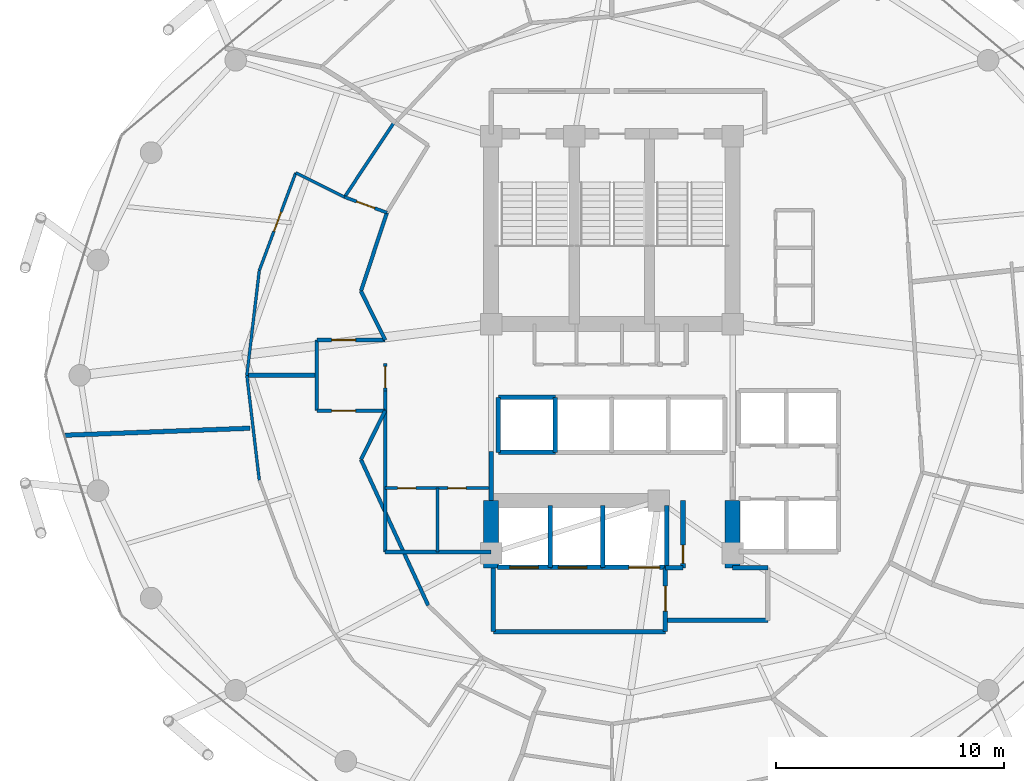
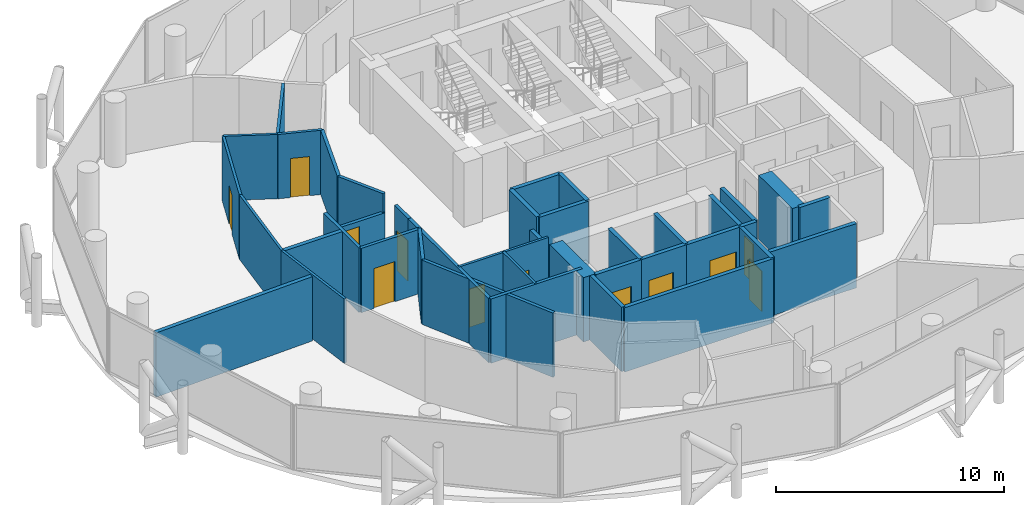
# One storey, part 22 of 26: 40 walls, 12 doors, 12 openings.
"""IFC4 building model written with IfcOpenShell, lengths in metres."""

from ifc_helpers import new_model, si_unit, direction, frame, frame_2d, origin, place, context, subcontext, project, spatial, rectangle, extrude, material, layer, layer_set, type_object, element, fill, save


model = new_model("IFC4")

# Units and contexts
model_context = context("Model", 3, precision=1e-05, world=origin(), true_north=direction((0.0, 1.0)))
body_context = subcontext(model_context, "Body", "Model", "MODEL_VIEW")
ifc_project = project(units=[si_unit("LENGTHUNIT", "METRE"), si_unit("AREAUNIT", "SQUARE_METRE"), si_unit("VOLUMEUNIT", "CUBIC_METRE"), si_unit("PLANEANGLEUNIT", "RADIAN"), si_unit("MASSUNIT", "GRAM", prefix="KILO")], contexts=[model_context])

# Site, building, storey
site_placement = place(None, origin())
site = spatial("IfcSite", under=ifc_project, at=site_placement, CompositionType="ELEMENT")
building_placement = place(site_placement, origin())
building = spatial("IfcBuilding", under=site, at=building_placement, Name="Nuhasar Tower", CompositionType="ELEMENT")
storey_placement = place(building_placement, frame((0.0, 0.0, 133.050048828125)))
storey = spatial("IfcBuildingStorey", under=building, at=storey_placement, Name="L31", CompositionType="ELEMENT", Elevation=133.050048828125)

# Walls
ifc_material_1 = material(Name="Concrete C65/80", Category="concrete")
ifc_layer_1 = layer(ifc_material_1, 0.64990234375)
ifc_layer_set_1 = layer_set([ifc_layer_1], Name="Concrete C65/80")
wall_type_1 = type_object("IfcWallType", Name="WL-CORE-650", PredefinedType="SHEAR", material=ifc_layer_set_1)
for number, where, z_axis, x_axis, name in (
    (1, (33.699951171875, 18.35009765625, 0.0), (0.0, 0.0, 1.0), (0.0, 1.0, 0.0), "L31 Core Shear Wall CW-SW CW-650"),
    (2, (44.300048828125, 18.35009765625, 0.0), (0.0, 0.0, 1.0), (0.0, 1.0, 0.0), "L31 Core Shear Wall CW-SE CW-650"),
):
    element("IfcWall", number, at=place(storey_placement, frame(where, z_axis=z_axis, x_axis=x_axis)), inside=storey, type_object=wall_type_1, Name=name, PredefinedType="SHEAR", context=body_context, shape_type="SweptSolid", body=[
        extrude(rectangle(XDim=2.949951171875, YDim=0.64990234375, at=frame_2d((1.47509765625, 0.0))), origin(), (0.0, 0.0, 1.0), 3.449951171875),
    ])
ifc_material_2 = material(Name="Gypsum Board", Category="gypsum")
ifc_layer_2 = layer(ifc_material_2, 0.159912109375)
ifc_layer_set_2 = layer_set([ifc_layer_2], Name="Gypsum Board")
wall_type_2 = type_object("IfcWallType", Name="WL-CORR-160", PredefinedType="PARTITIONING", material=ifc_layer_set_2)
wall_1_placement = place(storey_placement, frame((29.050048828125, 19.050048828125, 0.0), z_axis=(0.0, 0.0, 1.0), x_axis=(1.0, 0.0, 0.0)))
element("IfcWall", 3, at=wall_1_placement, inside=storey, type_object=wall_type_2, Name="L31 Interior Partition RECL-B1-S", PredefinedType="PARTITIONING", context=body_context, shape_type="SweptSolid", body=[
    extrude(rectangle(XDim=4.64990234375, YDim=0.159912109375, at=frame_2d((2.324951171875, 0.0))), origin(), (0.0, 0.0, 1.0), 3.449951171875),
])
wall_2_placement = place(storey_placement, frame((29.050048828125, 19.050048828125, 0.0), z_axis=(0.0, 0.0, 1.0), x_axis=(0.0, 1.0, 0.0)))
element("IfcWall", 4, at=wall_2_placement, inside=storey, type_object=wall_type_2, Name="L31 Interior Partition RECL-B1-W", PredefinedType="PARTITIONING", context=body_context, shape_type="SweptSolid", body=[
    extrude(rectangle(XDim=7.070068359375, YDim=0.159912109375, at=frame_2d((3.53515625, 0.0))), origin(), (0.0, 0.0, 1.0), 3.449951171875),
])

# Wall, opening, door
wall_3_placement = place(storey_placement, frame((29.050048828125, 26.1201171875, 0.0), z_axis=(0.0, 0.0, 1.0), x_axis=(0.0, 1.0, 0.0)))
wall_3 = element("IfcWall", 5, at=wall_3_placement, inside=storey, type_object=wall_type_2, Name="L31 Interior Partition WVEST-E", PredefinedType="PARTITIONING", context=body_context, shape_type="SweptSolid", body=[
    extrude(rectangle(XDim=1.199951171875, YDim=0.159912109375, at=frame_2d((0.60009765625, 0.0))), origin(), (0.0, 0.0, 1.0), 3.449951171875),
])
opening_1_placement = place(wall_3_placement, frame((0.125, 0.0, 0.0)))
opening_1 = element("IfcOpeningElement", 6, at=opening_1_placement, cuts=wall_3, Name="Opening DO-01", PredefinedType="OPENING", context=body_context, shape_type="SweptSolid", body=[
    extrude(rectangle(XDim=0.949951171875, YDim=2.14990234375, at=frame_2d((0.47509765625, 1.074951171875))), frame((0.0, 0.08984375, 0.0), z_axis=(0.0, -1.0, 0.0), x_axis=(1.0, 0.0, 0.0)), (0.0, 0.0, 1.0), 0.179931640625),
])
ifc_material_3 = material(Name="Timber Oak", Category="wood")
door_type_1 = type_object("IfcDoorType", Name="DR-OFFICE-FD30-950", OperationType="NOTDEFINED", PredefinedType="DOOR", material=ifc_material_3)
door_1_placement = place(opening_1_placement, origin())
door_1 = element("IfcDoor", 7, at=door_1_placement, inside=storey, type_object=door_type_1, Name="L31 West Arrival Foyer Core Door", OperationType="SINGLE_SWING_RIGHT", OverallHeight=2.14990234375, OverallWidth=0.949951171875, PredefinedType="DOOR", context=body_context, shape_type="SweptSolid", body=[
    extrude(rectangle(XDim=0.949951171875, YDim=2.14990234375, at=frame_2d((0.47509765625, 1.074951171875))), frame((0.0, 0.02490234375, 0.0), z_axis=(0.0, -1.0, 0.0), x_axis=(1.0, 0.0, 0.0)), (0.0, 0.0, 1.0), 0.050048828125),
])
fill(opening_1, door_1)

# Walls
wall_4_placement = place(storey_placement, frame((29.126953125, 33.93994140625, 0.0), z_axis=(0.0, 0.0, 1.0), x_axis=(-0.313985571683, -0.949427754374, 0.0)))
element("IfcWall", 8, at=wall_4_placement, inside=storey, type_object=wall_type_2, Name="L31 Interior Partition HWEST-CORE-N-20", PredefinedType="PARTITIONING", context=body_context, shape_type="SweptSolid", body=[
    extrude(rectangle(XDim=3.627197265625, YDim=0.159912109375, at=frame_2d((1.8134765625, 0.0))), origin(), (0.0, 0.0, 1.0), 3.449951171875),
])
wall_5_placement = place(storey_placement, frame((27.988037109375, 23.10400390625, 0.0), z_axis=(0.0, 0.0, 1.0), x_axis=(0.418656179426, -0.908144814128, 0.0)))
element("IfcWall", 9, at=wall_5_placement, inside=storey, type_object=wall_type_2, Name="L31 Interior Partition HWEST-CORE-S1-26", PredefinedType="PARTITIONING", context=body_context, shape_type="SweptSolid", body=[
    extrude(rectangle(XDim=7.048583984375, YDim=0.159912109375, at=frame_2d((3.5244140625, 0.0))), origin(), (0.0, 0.0, 1.0), 3.449951171875),
])

# Wall, opening, door
wall_6_placement = place(storey_placement, frame((26.050048828125, 28.35009765625, 0.0), z_axis=(0.0, 0.0, 1.0), x_axis=(1.0, 0.0, 0.0)))
wall_6 = element("IfcWall", 10, at=wall_6_placement, inside=storey, type_object=wall_type_2, Name="L31 Interior Partition WVEST-N", PredefinedType="PARTITIONING", context=body_context, shape_type="SweptSolid", body=[
    extrude(rectangle(XDim=3.0, YDim=0.159912109375, at=frame_2d((1.5, 0.0))), origin(), (0.0, 0.0, 1.0), 2.43994140625),
])
opening_2_placement = place(wall_6_placement, frame((0.64990234375, 0.0, 0.0)))
opening_2 = element("IfcOpeningElement", 11, at=opening_2_placement, cuts=wall_6, Name="Opening DU-01", PredefinedType="OPENING", context=body_context, shape_type="SweptSolid", body=[
    extrude(rectangle(XDim=1.050048828125, YDim=2.14990234375, at=frame_2d((0.52490234375, 1.074951171875))), frame((0.0, 0.08984375, 0.0), z_axis=(0.0, -1.0, 0.0), x_axis=(1.0, 0.0, 0.0)), (0.0, 0.0, 1.0), 0.179931640625),
])
door_type_2 = type_object("IfcDoorType", Name="DR-SUITE-FD60-1050", OperationType="NOTDEFINED", PredefinedType="DOOR", material=ifc_material_3)
door_2_placement = place(opening_2_placement, origin())
door_2 = element("IfcDoor", 12, at=door_2_placement, inside=storey, type_object=door_type_2, Name="L31 North-West Sunset Suite Entrance", OperationType="SINGLE_SWING_LEFT", OverallHeight=2.14990234375, OverallWidth=1.050048828125, PredefinedType="DOOR", context=body_context, shape_type="SweptSolid", body=[
    extrude(rectangle(XDim=1.050048828125, YDim=2.14990234375, at=frame_2d((0.52490234375, 1.074951171875))), frame((0.0, 0.02490234375, 0.0), z_axis=(0.0, -1.0, 0.0), x_axis=(1.0, 0.0, 0.0)), (0.0, 0.0, 1.0), 0.050048828125),
])
fill(opening_2, door_2)

wall_7_placement = place(storey_placement, frame((26.050048828125, 25.25, 0.0), z_axis=(0.0, 0.0, 1.0), x_axis=(1.0, 0.0, 0.0)))
wall_7 = element("IfcWall", 13, at=wall_7_placement, inside=storey, type_object=wall_type_2, Name="L31 Interior Partition WVEST-S", PredefinedType="PARTITIONING", context=body_context, shape_type="SweptSolid", body=[
    extrude(rectangle(XDim=3.0, YDim=0.159912109375, at=frame_2d((1.5, 0.0))), origin(), (0.0, 0.0, 1.0), 3.449951171875),
])
opening_3_placement = place(wall_7_placement, frame((0.64990234375, 0.0, 0.0)))
opening_3 = element("IfcOpeningElement", 14, at=opening_3_placement, cuts=wall_7, Name="Opening DU-01", PredefinedType="OPENING", context=body_context, shape_type="SweptSolid", body=[
    extrude(rectangle(XDim=1.050048828125, YDim=2.14990234375, at=frame_2d((0.52490234375, 1.074951171875))), frame((0.0, 0.08984375, 0.0), z_axis=(0.0, -1.0, 0.0), x_axis=(1.0, 0.0, 0.0)), (0.0, 0.0, 1.0), 0.179931640625),
])
door_3_placement = place(opening_3_placement, origin())
door_3 = element("IfcDoor", 15, at=door_3_placement, inside=storey, type_object=door_type_2, Name="L31 South-West Presidential Suite Entrance", OperationType="SINGLE_SWING_LEFT", OverallHeight=2.14990234375, OverallWidth=1.050048828125, PredefinedType="DOOR", context=body_context, shape_type="SweptSolid", body=[
    extrude(rectangle(XDim=1.050048828125, YDim=2.14990234375, at=frame_2d((0.52490234375, 1.074951171875))), frame((0.0, 0.02490234375, 0.0), z_axis=(0.0, -1.0, 0.0), x_axis=(1.0, 0.0, 0.0)), (0.0, 0.0, 1.0), 0.050048828125),
])
fill(opening_3, door_3)

# Walls
wall_8_placement = place(storey_placement, frame((26.050048828125, 25.25, 0.0), z_axis=(0.0, 0.0, 1.0), x_axis=(0.0, 1.0, 0.0)))
element("IfcWall", 16, at=wall_8_placement, inside=storey, type_object=wall_type_2, Name="L31 Interior Partition WVEST-W", PredefinedType="PARTITIONING", context=body_context, shape_type="SweptSolid", body=[
    extrude(rectangle(XDim=3.10009765625, YDim=0.159912109375, at=frame_2d((1.550048828125, 0.0))), origin(), (0.0, 0.0, 1.0), 3.449951171875),
])
for number, where, z_axis, x_axis, name in (
    (17, (27.988037109375, 30.49609375, 0.0), (0.0, 0.0, 1.0), (0.443539160525, -0.896254993337, 0.0), "L31 Interior Partition WVEST-CN"),
    (18, (27.988037109375, 23.10400390625, 0.0), (0.0, 0.0, 1.0), (0.443539160525, 0.896254993337, 0.0), "L31 Interior Partition WVEST-CS"),
):
    element("IfcWall", number, at=place(storey_placement, frame(where, z_axis=z_axis, x_axis=x_axis)), inside=storey, type_object=wall_type_2, Name=name, PredefinedType="PARTITIONING", context=body_context, shape_type="SweptSolid", body=[
        extrude(rectangle(XDim=2.394287109375, YDim=0.159912109375, at=frame_2d((1.197265625, 0.0))), origin(), (0.0, 0.0, 1.0), 3.449951171875),
    ])
ifc_material_4 = material(Name="Concrete C45/55", Category="concrete")
ifc_layer_3 = layer(ifc_material_4, 0.199951171875)
ifc_layer_set_3 = layer_set([ifc_layer_3], Name="Concrete C45/55")
wall_type_3 = type_object("IfcWallType", Name="WL-LOBBY-200", PredefinedType="SOLIDWALL", material=ifc_layer_set_3)
wall_9_placement = place(storey_placement, frame((33.699951171875, 21.300048828125, 0.0), z_axis=(0.0, 0.0, 1.0), x_axis=(0.0, 1.0, 0.0)))
element("IfcWall", 19, at=wall_9_placement, inside=storey, type_object=wall_type_3, Name="L31 Interior Partition LLBH-W", PredefinedType="SOLIDWALL", context=body_context, shape_type="SweptSolid", body=[
    extrude(rectangle(XDim=2.14990234375, YDim=0.199951171875, at=frame_2d((1.074951171875, 0.0))), origin(), (0.0, 0.0, 1.0), 2.8349609375),
])
wall_10_placement = place(storey_placement, frame((33.800048828125, 15.550048828125, 0.0), z_axis=(0.0, 0.0, 1.0), x_axis=(1.0, 0.0, 0.0)))
element("IfcWall", 20, at=wall_10_placement, inside=storey, type_object=wall_type_3, Name="L31 Interior Partition FFL-S", PredefinedType="SOLIDWALL", context=body_context, shape_type="SweptSolid", body=[
    extrude(rectangle(XDim=7.550048828125, YDim=0.199951171875, at=frame_2d((3.77490234375, 0.0))), origin(), (0.0, 0.0, 1.0), 3.449951171875),
])
wall_11_placement = place(storey_placement, frame((33.800048828125, 15.550048828125, 0.0), z_axis=(0.0, 0.0, 1.0), x_axis=(0.0, 1.0, 0.0)))
element("IfcWall", 21, at=wall_11_placement, inside=storey, type_object=wall_type_3, Name="L31 Interior Partition FFL-W", PredefinedType="SOLIDWALL", context=body_context, shape_type="SweptSolid", body=[
    extrude(rectangle(XDim=2.800048828125, YDim=0.199951171875, at=frame_2d((1.39990234375, 0.0))), origin(), (0.0, 0.0, 1.0), 3.449951171875),
])

# Wall, opening, door
wall_12_placement = place(storey_placement, frame((41.35009765625, 15.550048828125, 0.0), z_axis=(0.0, 0.0, 1.0), x_axis=(0.0, 1.0, 0.0)))
wall_12 = element("IfcWall", 22, at=wall_12_placement, inside=storey, type_object=wall_type_3, Name="L31 Interior Partition FFL-E", PredefinedType="SOLIDWALL", context=body_context, shape_type="SweptSolid", body=[
    extrude(rectangle(XDim=2.800048828125, YDim=0.199951171875, at=frame_2d((1.39990234375, 0.0))), origin(), (0.0, 0.0, 1.0), 3.449951171875),
])
opening_4_placement = place(wall_12_placement, frame((0.89990234375, 0.0, 0.0)))
opening_4 = element("IfcOpeningElement", 23, at=opening_4_placement, cuts=wall_12, Name="Opening DS-02", PredefinedType="OPENING", context=body_context, shape_type="SweptSolid", body=[
    extrude(rectangle(XDim=1.10009765625, YDim=2.14990234375, at=frame_2d((0.550048828125, 1.074951171875))), frame((0.0, 0.10986328125, 0.0), z_axis=(0.0, -1.0, 0.0), x_axis=(1.0, 0.0, 0.0)), (0.0, 0.0, 1.0), 0.219970703125),
])
ifc_material_5 = material(Name="Steel S355", Category="steel")
door_type_3 = type_object("IfcDoorType", Name="DR-FFL-FD120-1100", OperationType="NOTDEFINED", PredefinedType="DOOR", material=ifc_material_5)
door_4_placement = place(opening_4_placement, origin())
door_4 = element("IfcDoor", 24, at=door_4_placement, inside=storey, type_object=door_type_3, Name="L31 Firefighting Lobby Door", OperationType="SINGLE_SWING_RIGHT", OverallHeight=2.14990234375, OverallWidth=1.10009765625, PredefinedType="DOOR", context=body_context, shape_type="SweptSolid", body=[
    extrude(rectangle(XDim=1.10009765625, YDim=2.14990234375, at=frame_2d((0.550048828125, 1.074951171875))), frame((0.0, 0.02490234375, 0.0), z_axis=(0.0, -1.0, 0.0), x_axis=(1.0, 0.0, 0.0)), (0.0, 0.0, 1.0), 0.050048828125),
])
fill(opening_4, door_4)

# Walls
wall_13_placement = place(storey_placement, frame((41.35009765625, 16.050048828125, 0.0), z_axis=(0.0, 0.0, 1.0), x_axis=(1.0, 0.0, 0.0)))
element("IfcWall", 25, at=wall_13_placement, inside=storey, type_object=wall_type_3, Name="L31 Interior Partition SVLV-S", PredefinedType="SOLIDWALL", context=body_context, shape_type="SweptSolid", body=[
    extrude(rectangle(XDim=4.5, YDim=0.199951171875, at=frame_2d((2.25, 0.0))), origin(), (0.0, 0.0, 1.0), 3.449951171875),
])
wall_14_placement = place(storey_placement, frame((44.300048828125, 18.35009765625, 0.0), z_axis=(0.0, 0.0, 1.0), x_axis=(1.0, 0.0, 0.0)))
element("IfcWall", 26, at=wall_14_placement, inside=storey, type_object=wall_type_3, Name="L31 Interior Partition SVLV-N", PredefinedType="SOLIDWALL", context=body_context, shape_type="SweptSolid", body=[
    extrude(rectangle(XDim=1.550048828125, YDim=0.199951171875, at=frame_2d((0.77490234375, 0.0))), origin(), (0.0, 0.0, 1.0), 3.449951171875),
])

# Wall, openings, doors
ifc_layer_4 = layer(ifc_material_2, 0.125)
ifc_layer_set_4 = layer_set([ifc_layer_4], Name="Gypsum Board")
wall_type_4 = type_object("IfcWallType", Name="WL-PART-125", PredefinedType="PARTITIONING", material=ifc_layer_set_4)
wall_15_placement = place(storey_placement, frame((33.60009765625, 21.85009765625, 0.0), z_axis=(0.0, 0.0, 1.0), x_axis=(-1.0, 0.0, 0.0)))
wall_15 = element("IfcWall", 27, at=wall_15_placement, inside=storey, type_object=wall_type_4, Name="L31 Interior Partition HKPK1-N", PredefinedType="PARTITIONING", context=body_context, shape_type="SweptSolid", body=[
    extrude(rectangle(XDim=4.550048828125, YDim=0.125, at=frame_2d((2.27490234375, 0.0))), origin(), (0.0, 0.0, 1.0), 3.449951171875),
])
opening_5_placement = place(wall_15_placement, frame((3.199951171875, 0.0, 0.0)))
opening_5 = element("IfcOpeningElement", 28, at=opening_5_placement, cuts=wall_15, Name="Opening DM-01", PredefinedType="OPENING", context=body_context, shape_type="SweptSolid", body=[
    extrude(rectangle(XDim=0.800048828125, YDim=2.050048828125, at=frame_2d((0.39990234375, 1.02490234375))), frame((0.0, 0.072509765625, 0.0), z_axis=(0.0, -1.0, 0.0), x_axis=(1.0, 0.0, 0.0)), (0.0, 0.0, 1.0), 0.14501953125),
])
opening_6_placement = place(wall_15_placement, frame((1.0, 0.0, 0.0)))
opening_6 = element("IfcOpeningElement", 29, at=opening_6_placement, cuts=wall_15, Name="Opening DM-01", PredefinedType="OPENING", context=body_context, shape_type="SweptSolid", body=[
    extrude(rectangle(XDim=0.800048828125, YDim=2.050048828125, at=frame_2d((0.39990234375, 1.02490234375))), frame((0.0, 0.072509765625, 0.0), z_axis=(0.0, -1.0, 0.0), x_axis=(1.0, 0.0, 0.0)), (0.0, 0.0, 1.0), 0.14501953125),
])
door_type_4 = type_object("IfcDoorType", Name="DR-RISER-FD60-800", OperationType="NOTDEFINED", PredefinedType="DOOR", material=ifc_material_5)
door_5_placement = place(opening_5_placement, origin())
door_5 = element("IfcDoor", 30, at=door_5_placement, inside=storey, type_object=door_type_4, Name="L31 Housekeeping Closet Door", OperationType="SINGLE_SWING_RIGHT", OverallHeight=2.050048828125, OverallWidth=0.800048828125, PredefinedType="DOOR", context=body_context, shape_type="SweptSolid", body=[
    extrude(rectangle(XDim=0.800048828125, YDim=2.050048828125, at=frame_2d((0.39990234375, 1.02490234375))), frame((0.0, 0.02490234375, 0.0), z_axis=(0.0, -1.0, 0.0), x_axis=(1.0, 0.0, 0.0)), (0.0, 0.0, 1.0), 0.050048828125),
])
fill(opening_5, door_5)
door_6_placement = place(opening_6_placement, origin())
door_6 = element("IfcDoor", 31, at=door_6_placement, inside=storey, type_object=door_type_4, Name="L31 Linen Store Door", OperationType="SINGLE_SWING_LEFT", OverallHeight=2.050048828125, OverallWidth=0.800048828125, PredefinedType="DOOR", context=body_context, shape_type="SweptSolid", body=[
    extrude(rectangle(XDim=0.800048828125, YDim=2.050048828125, at=frame_2d((0.39990234375, 1.02490234375))), frame((0.0, 0.02490234375, 0.0), z_axis=(0.0, -1.0, 0.0), x_axis=(1.0, 0.0, 0.0)), (0.0, 0.0, 1.0), 0.050048828125),
])
fill(opening_6, door_6)

# Walls
wall_16_placement = place(storey_placement, frame((31.35009765625, 19.050048828125, 0.0), z_axis=(0.0, 0.0, 1.0), x_axis=(0.0, 1.0, 0.0)))
element("IfcWall", 32, at=wall_16_placement, inside=storey, type_object=wall_type_4, Name="L31 Interior Partition HKPK1-V", PredefinedType="PARTITIONING", context=body_context, shape_type="SweptSolid", body=[
    extrude(rectangle(XDim=2.800048828125, YDim=0.125, at=frame_2d((1.39990234375, 0.0))), origin(), (0.0, 0.0, 1.0), 3.449951171875),
])
wall_17_placement = place(storey_placement, frame((27.264892578125, 34.625, 0.0), z_axis=(0.0, 0.0, 1.0), x_axis=(-0.895182030291, 0.445700720937, 0.0)))
element("IfcWall", 33, at=wall_17_placement, inside=storey, type_object=wall_type_4, Name="L31 Interior Partition HWS1-S", PredefinedType="PARTITIONING", context=body_context, shape_type="SweptSolid", body=[
    extrude(rectangle(XDim=2.389404296875, YDim=0.125, at=frame_2d((1.19482421875, 0.0))), origin(), (0.0, 0.0, 1.0), 3.449951171875),
])

# Wall, opening, door
wall_18_placement = place(storey_placement, frame((25.1259765625, 35.68994140625, 0.0), z_axis=(0.0, 0.0, 1.0), x_axis=(-0.349620571525, -0.936891378958, 0.0)))
wall_18 = element("IfcWall", 34, at=wall_18_placement, inside=storey, type_object=wall_type_4, Name="L31 Interior Partition HWS1-ARC-20", PredefinedType="PARTITIONING", context=body_context, shape_type="SweptSolid", body=[
    extrude(rectangle(XDim=4.57666015625, YDim=0.125, at=frame_2d((2.288330078125, 0.0))), origin(), (0.0, 0.0, 1.0), 3.449951171875),
])
opening_7_placement = place(wall_18_placement, frame((1.837890625, 0.0, 0.0)))
opening_7 = element("IfcOpeningElement", 35, at=opening_7_placement, cuts=wall_18, Name="Opening DR-01", PredefinedType="OPENING", context=body_context, shape_type="SweptSolid", body=[
    extrude(rectangle(XDim=0.89990234375, YDim=2.10009765625, at=frame_2d((0.449951171875, 1.050048828125))), frame((0.0, 0.072509765625, 0.0), z_axis=(0.0, -1.0, 0.0), x_axis=(1.0, 0.0, 0.0)), (0.0, 0.0, 1.0), 0.14501953125),
])
door_type_5 = type_object("IfcDoorType", Name="DR-ROOM-900", OperationType="NOTDEFINED", PredefinedType="DOOR", material=ifc_material_3)
door_7_placement = place(opening_7_placement, origin())
door_7 = element("IfcDoor", 36, at=door_7_placement, inside=storey, type_object=door_type_5, Name="L31 North-West Sunset Suite Bedroom Door", OperationType="SINGLE_SWING_LEFT", OverallHeight=2.10009765625, OverallWidth=0.89990234375, PredefinedType="DOOR", context=body_context, shape_type="SweptSolid", body=[
    extrude(rectangle(XDim=0.89990234375, YDim=2.10009765625, at=frame_2d((0.449951171875, 1.050048828125))), frame((0.0, 0.02490234375, 0.0), z_axis=(0.0, -1.0, 0.0), x_axis=(1.0, 0.0, 0.0)), (0.0, 0.0, 1.0), 0.050048828125),
])
fill(opening_7, door_7)

# Walls
for number, where, z_axis, x_axis, name in (
    (37, (23.52587890625, 31.402099609375, 0.0), (0.0, 0.0, 1.0), (-0.117794846718, -0.993037951987, 0.0), "L31 Interior Partition HWS1-ARC-22"),
    (38, (22.97998046875, 26.800048828125, 0.0), (0.0, 0.0, 1.0), (0.117794846718, -0.993037951987, 0.0), "L31 Interior Partition HWS2-ARC-24"),
):
    element("IfcWall", number, at=place(storey_placement, frame(where, z_axis=z_axis, x_axis=x_axis)), inside=storey, type_object=wall_type_4, Name=name, PredefinedType="PARTITIONING", context=body_context, shape_type="SweptSolid", body=[
        extrude(rectangle(XDim=4.63427734375, YDim=0.125, at=frame_2d((2.317138671875, 0.0))), origin(), (0.0, 0.0, 1.0), 3.449951171875),
    ])
ifc_layer_5 = layer(ifc_material_4, 0.199951171875)
ifc_layer_set_5 = layer_set([ifc_layer_5], Name="Concrete C45/55")
wall_type_5 = type_object("IfcWallType", Name="WL-SHAFT-200", PredefinedType="SOLIDWALL", material=ifc_layer_set_5)
for number, where, z_axis, x_axis, name in (
    (39, (34.02001953125, 23.419921875, 0.0), (0.0, 0.0, 1.0), (1.0, 0.0, 0.0), "L31 Interior Partition SHF-PL-H01-S"),
    (40, (34.02001953125, 25.830078125, 0.0), (0.0, 0.0, 1.0), (1.0, 0.0, 0.0), "L31 Interior Partition SHF-PL-H01-N"),
):
    element("IfcWall", number, at=place(storey_placement, frame(where, z_axis=z_axis, x_axis=x_axis)), inside=storey, type_object=wall_type_5, Name=name, PredefinedType="SOLIDWALL", context=body_context, shape_type="SweptSolid", body=[
        extrude(rectangle(XDim=2.5, YDim=0.199951171875, at=frame_2d((1.25, 0.0))), origin(), (0.0, 0.0, 1.0), 3.449951171875),
    ])
for number, where, z_axis, x_axis, name in (
    (41, (34.02001953125, 23.419921875, 0.0), (0.0, 0.0, 1.0), (0.0, 1.0, 0.0), "L31 Interior Partition SHF-PL-H01-W"),
    (42, (36.510009765625, 23.419921875, 0.0), (0.0, 0.0, 1.0), (0.0, 1.0, 0.0), "L31 Interior Partition SHF-PL-H01-E"),
):
    element("IfcWall", number, at=place(storey_placement, frame(where, z_axis=z_axis, x_axis=x_axis)), inside=storey, type_object=wall_type_5, Name=name, PredefinedType="SOLIDWALL", context=body_context, shape_type="SweptSolid", body=[
        extrude(rectangle(XDim=2.41015625, YDim=0.199951171875, at=frame_2d((1.205078125, 0.0))), origin(), (0.0, 0.0, 1.0), 3.449951171875),
    ])

# Wall, opening, door
wall_19_placement = place(storey_placement, frame((33.969970703125, 18.3701171875, 0.0), z_axis=(0.0, 0.0, 1.0), x_axis=(1.0, 0.0, 0.0)))
wall_19 = element("IfcWall", 43, at=wall_19_placement, inside=storey, type_object=wall_type_5, Name="L31 Interior Partition SHF-FFL-01-S", PredefinedType="SOLIDWALL", context=body_context, shape_type="SweptSolid", body=[
    extrude(rectangle(XDim=2.360107421875, YDim=0.199951171875, at=frame_2d((1.18017578125, 0.0))), origin(), (0.0, 0.0, 1.0), 3.449951171875),
])
opening_8_placement = place(wall_19_placement, frame((0.554931640625, 0.0, 0.0)))
opening_8 = element("IfcOpeningElement", 44, at=opening_8_placement, cuts=wall_19, Name="Opening LD-F01", PredefinedType="OPENING", context=body_context, shape_type="SweptSolid", body=[
    extrude(rectangle(XDim=1.25, YDim=2.199951171875, at=frame_2d((0.625, 1.10009765625))), frame((0.0, 0.10986328125, 0.0), z_axis=(0.0, -1.0, 0.0), x_axis=(1.0, 0.0, 0.0)), (0.0, 0.0, 1.0), 0.219970703125),
])
ifc_material_6 = material(Name="Stainless Steel 316L", Category="steel")
door_type_6 = type_object("IfcDoorType", Name="LD-FFL-1250", OperationType="DOUBLE_DOOR_SLIDING", PredefinedType="DOOR", material=ifc_material_6)
door_8_placement = place(opening_8_placement, origin())
door_8 = element("IfcDoor", 45, at=door_8_placement, inside=storey, type_object=door_type_6, Name="L31 Lift Landing Door FFL-01", OperationType="DOUBLE_DOOR_SLIDING", OverallHeight=2.199951171875, OverallWidth=1.25, PredefinedType="DOOR", context=body_context, shape_type="SweptSolid", body=[
    extrude(rectangle(XDim=1.25, YDim=2.199951171875, at=frame_2d((0.625, 1.10009765625))), frame((0.0, 0.02490234375, 0.0), z_axis=(0.0, -1.0, 0.0), x_axis=(1.0, 0.0, 0.0)), (0.0, 0.0, 1.0), 0.050048828125),
])
fill(opening_8, door_8)

# Wall
wall_20_placement = place(storey_placement, frame((36.300048828125, 18.3701171875, 0.0), z_axis=(0.0, 0.0, 1.0), x_axis=(0.0, 1.0, 0.0)))
element("IfcWall", 46, at=wall_20_placement, inside=storey, type_object=wall_type_5, Name="L31 Interior Partition SHF-FFL-01-E", PredefinedType="SOLIDWALL", context=body_context, shape_type="SweptSolid", body=[
    extrude(rectangle(XDim=2.7099609375, YDim=0.199951171875, at=frame_2d((1.35498046875, 0.0))), origin(), (0.0, 0.0, 1.0), 3.449951171875),
])

# Wall, opening, door
wall_21_placement = place(storey_placement, frame((36.27001953125, 18.3701171875, 0.0), z_axis=(0.0, 0.0, 1.0), x_axis=(1.0, 0.0, 0.0)))
wall_21 = element("IfcWall", 47, at=wall_21_placement, inside=storey, type_object=wall_type_5, Name="L31 Interior Partition SHF-FFL-02-S", PredefinedType="SOLIDWALL", context=body_context, shape_type="SweptSolid", body=[
    extrude(rectangle(XDim=2.35986328125, YDim=0.199951171875, at=frame_2d((1.179931640625, 0.0))), origin(), (0.0, 0.0, 1.0), 3.449951171875),
])
opening_9_placement = place(wall_21_placement, frame((0.3798828125, 0.0, 0.0)))
opening_9 = element("IfcOpeningElement", 48, at=opening_9_placement, cuts=wall_21, Name="Opening LD-F02", PredefinedType="OPENING", context=body_context, shape_type="SweptSolid", body=[
    extrude(rectangle(XDim=1.25, YDim=2.199951171875, at=frame_2d((0.625, 1.10009765625))), frame((0.0, 0.10986328125, 0.0), z_axis=(0.0, -1.0, 0.0), x_axis=(1.0, 0.0, 0.0)), (0.0, 0.0, 1.0), 0.219970703125),
])
door_9_placement = place(opening_9_placement, origin())
door_9 = element("IfcDoor", 49, at=door_9_placement, inside=storey, type_object=door_type_6, Name="L31 Lift Landing Door FFL-02", OperationType="DOUBLE_DOOR_SLIDING", OverallHeight=2.199951171875, OverallWidth=1.25, PredefinedType="DOOR", context=body_context, shape_type="SweptSolid", body=[
    extrude(rectangle(XDim=1.25, YDim=2.199951171875, at=frame_2d((0.625, 1.10009765625))), frame((0.0, 0.02490234375, 0.0), z_axis=(0.0, -1.0, 0.0), x_axis=(1.0, 0.0, 0.0)), (0.0, 0.0, 1.0), 0.050048828125),
])
fill(opening_9, door_9)

# Wall
wall_22_placement = place(storey_placement, frame((38.60009765625, 18.3701171875, 0.0), z_axis=(0.0, 0.0, 1.0), x_axis=(0.0, 1.0, 0.0)))
element("IfcWall", 50, at=wall_22_placement, inside=storey, type_object=wall_type_5, Name="L31 Interior Partition SHF-FFL-02-E", PredefinedType="SOLIDWALL", context=body_context, shape_type="SweptSolid", body=[
    extrude(rectangle(XDim=2.7099609375, YDim=0.199951171875, at=frame_2d((1.35498046875, 0.0))), origin(), (0.0, 0.0, 1.0), 3.449951171875),
])

# Wall, opening, door
wall_23_placement = place(storey_placement, frame((38.570068359375, 18.3701171875, 0.0), z_axis=(0.0, 0.0, 1.0), x_axis=(1.0, 0.0, 0.0)))
wall_23 = element("IfcWall", 51, at=wall_23_placement, inside=storey, type_object=wall_type_5, Name="L31 Interior Partition SHF-SVL-01-S", PredefinedType="SOLIDWALL", context=body_context, shape_type="SweptSolid", body=[
    extrude(rectangle(XDim=2.829833984375, YDim=0.199951171875, at=frame_2d((1.4150390625, 0.0))), origin(), (0.0, 0.0, 1.0), 3.449951171875),
])
opening_10_placement = place(wall_23_placement, frame((1.179931640625, 0.0, 0.0)))
opening_10 = element("IfcOpeningElement", 52, at=opening_10_placement, cuts=wall_23, Name="Opening LD-S01", PredefinedType="OPENING", context=body_context, shape_type="SweptSolid", body=[
    extrude(rectangle(XDim=1.35009765625, YDim=2.179931640625, at=frame_2d((0.675048828125, 1.08984375))), frame((0.0, 0.10986328125, 0.0), z_axis=(0.0, -1.0, 0.0), x_axis=(1.0, 0.0, 0.0)), (0.0, 0.0, 1.0), 0.219970703125),
])
door_type_7 = type_object("IfcDoorType", Name="LD-SVL-1350", OperationType="DOUBLE_DOOR_SLIDING", PredefinedType="DOOR", material=ifc_material_6)
door_10_placement = place(opening_10_placement, origin())
door_10 = element("IfcDoor", 53, at=door_10_placement, inside=storey, type_object=door_type_7, Name="L31 Lift Landing Door SVL-01", OperationType="DOUBLE_DOOR_SLIDING", OverallHeight=2.179931640625, OverallWidth=1.35009765625, PredefinedType="DOOR", context=body_context, shape_type="SweptSolid", body=[
    extrude(rectangle(XDim=1.35009765625, YDim=2.179931640625, at=frame_2d((0.675048828125, 1.08984375))), frame((0.0, 0.02490234375, 0.0), z_axis=(0.0, -1.0, 0.0), x_axis=(1.0, 0.0, 0.0)), (0.0, 0.0, 1.0), 0.050048828125),
])
fill(opening_10, door_10)

# Wall
wall_24_placement = place(storey_placement, frame((41.39990234375, 18.3701171875, 0.0), z_axis=(0.0, 0.0, 1.0), x_axis=(0.0, 1.0, 0.0)))
element("IfcWall", 54, at=wall_24_placement, inside=storey, type_object=wall_type_5, Name="L31 Interior Partition SHF-SVL-01-E", PredefinedType="SOLIDWALL", context=body_context, shape_type="SweptSolid", body=[
    extrude(rectangle(XDim=2.7099609375, YDim=0.199951171875, at=frame_2d((1.35498046875, 0.0))), origin(), (0.0, 0.0, 1.0), 3.449951171875),
])

# Wall, opening, door
wall_25_placement = place(storey_placement, frame((42.1201171875, 18.35009765625, 0.0), z_axis=(0.0, 0.0, 1.0), x_axis=(0.0, 1.0, 0.0)))
wall_25 = element("IfcWall", 55, at=wall_25_placement, inside=storey, type_object=wall_type_5, Name="L31 Interior Partition RSR-E", PredefinedType="SOLIDWALL", context=body_context, shape_type="SweptSolid", body=[
    extrude(rectangle(XDim=2.949951171875, YDim=0.199951171875, at=frame_2d((1.47509765625, 0.0))), origin(), (0.0, 0.0, 1.0), 3.449951171875),
])
opening_11_placement = place(wall_25_placement, frame((0.199951171875, 0.0, 0.0)))
opening_11 = element("IfcOpeningElement", 56, at=opening_11_placement, cuts=wall_25, Name="Opening DM-01", PredefinedType="OPENING", context=body_context, shape_type="SweptSolid", body=[
    extrude(rectangle(XDim=0.800048828125, YDim=2.050048828125, at=frame_2d((0.39990234375, 1.02490234375))), frame((0.0, 0.10986328125, 0.0), z_axis=(0.0, -1.0, 0.0), x_axis=(1.0, 0.0, 0.0)), (0.0, 0.0, 1.0), 0.219970703125),
])
door_11_placement = place(opening_11_placement, origin())
door_11 = element("IfcDoor", 57, at=door_11_placement, inside=storey, type_object=door_type_4, Name="L31 MEP Riser Access Door", OperationType="SINGLE_SWING_LEFT", OverallHeight=2.050048828125, OverallWidth=0.800048828125, PredefinedType="DOOR", context=body_context, shape_type="SweptSolid", body=[
    extrude(rectangle(XDim=0.800048828125, YDim=2.050048828125, at=frame_2d((0.39990234375, 1.02490234375))), frame((0.0, 0.02490234375, 0.0), z_axis=(0.0, -1.0, 0.0), x_axis=(1.0, 0.0, 0.0)), (0.0, 0.0, 1.0), 0.050048828125),
])
fill(opening_11, door_11)

# Walls
wall_26_placement = place(storey_placement, frame((41.35009765625, 18.35009765625, 0.0), z_axis=(0.0, 0.0, 1.0), x_axis=(1.0, 0.0, 0.0)))
element("IfcWall", 58, at=wall_26_placement, inside=storey, type_object=wall_type_5, Name="L31 Interior Partition RSR-S", PredefinedType="SOLIDWALL", context=body_context, shape_type="SweptSolid", body=[
    extrude(rectangle(XDim=0.77001953125, YDim=0.199951171875, at=frame_2d((0.385009765625, 0.0))), origin(), (0.0, 0.0, 1.0), 3.449951171875),
])
ifc_material_7 = material(Name="Concrete C40/50 precast", Category="concrete")
ifc_layer_6 = layer(ifc_material_7, 0.199951171875)
ifc_layer_set_6 = layer_set([ifc_layer_6], Name="Concrete C40/50 precast")
wall_type_6 = type_object("IfcWallType", Name="WL-UNIT-200", PredefinedType="PARTITIONING", material=ifc_layer_set_6)
wall_27_placement = place(storey_placement, frame((26.050048828125, 26.800048828125, 0.0), z_axis=(0.0, 0.0, 1.0), x_axis=(-1.0, 0.0, 0.0)))
element("IfcWall", 59, at=wall_27_placement, inside=storey, type_object=wall_type_6, Name="L31 Interior Partition HWEST-DIV-IN", PredefinedType="PARTITIONING", context=body_context, shape_type="SweptSolid", body=[
    extrude(rectangle(XDim=3.070068359375, YDim=0.199951171875, at=frame_2d((1.53515625, 0.0))), origin(), (0.0, 0.0, 1.0), 3.449951171875),
])
wall_28_placement = place(storey_placement, frame((23.116943359375, 24.47900390625, 0.0), z_axis=(0.0, 0.0, 1.0), x_axis=(-0.999284800022, -0.037813865784, 0.0)))
element("IfcWall", 60, at=wall_28_placement, inside=storey, type_object=wall_type_6, Name="L31 Interior Partition HWEST-DIV-OUT", PredefinedType="PARTITIONING", context=body_context, shape_type="SweptSolid", body=[
    extrude(rectangle(XDim=8.11572265625, YDim=0.199951171875, at=frame_2d((4.057861328125, 0.0))), origin(), (0.0, 0.0, 1.0), 3.449951171875),
])

# Wall, opening, door
ifc_layer_7 = layer(ifc_material_7, 0.139892578125)
ifc_layer_set_7 = layer_set([ifc_layer_7], Name="Concrete C40/50 precast")
wall_type_7 = type_object("IfcWallType", Name="WL-WET-140", PredefinedType="PARTITIONING", material=ifc_layer_set_7)
wall_29_placement = place(storey_placement, frame((27.264892578125, 34.625, 0.0), z_axis=(0.0, 0.0, 1.0), x_axis=(0.938500583084, -0.345277649945, 0.0)))
wall_29 = element("IfcWall", 61, at=wall_29_placement, inside=storey, type_object=wall_type_7, Name="L31 Interior Partition HBW1-S", PredefinedType="PARTITIONING", context=body_context, shape_type="SweptSolid", body=[
    extrude(rectangle(XDim=1.984130859375, YDim=0.139892578125, at=frame_2d((0.9921875, 0.0))), origin(), (0.0, 0.0, 1.0), 3.449951171875),
])
opening_12_placement = place(wall_29_placement, frame((0.56689453125, 0.0, 0.0)))
opening_12 = element("IfcOpeningElement", 62, at=opening_12_placement, cuts=wall_29, Name="Opening DB-01", PredefinedType="OPENING", context=body_context, shape_type="SweptSolid", body=[
    extrude(rectangle(XDim=0.85009765625, YDim=2.10009765625, at=frame_2d((0.425048828125, 1.050048828125))), frame((0.0, 0.080078125, 0.0), z_axis=(0.0, -1.0, 0.0), x_axis=(1.0, 0.0, 0.0)), (0.0, 0.0, 1.0), 0.159912109375),
])
door_type_8 = type_object("IfcDoorType", Name="DR-BATH-850", OperationType="NOTDEFINED", PredefinedType="DOOR", material=ifc_material_3)
door_12_placement = place(opening_12_placement, origin())
door_12 = element("IfcDoor", 63, at=door_12_placement, inside=storey, type_object=door_type_8, Name="L31 North-West Sunset Suite En-Suite Door", OperationType="SINGLE_SWING_RIGHT", OverallHeight=2.10009765625, OverallWidth=0.85009765625, PredefinedType="DOOR", context=body_context, shape_type="SweptSolid", body=[
    extrude(rectangle(XDim=0.85009765625, YDim=2.10009765625, at=frame_2d((0.425048828125, 1.050048828125))), frame((0.0, 0.02490234375, 0.0), z_axis=(0.0, -1.0, 0.0), x_axis=(1.0, 0.0, 0.0)), (0.0, 0.0, 1.0), 0.050048828125),
])
fill(opening_12, door_12)

# Wall
wall_30_placement = place(storey_placement, frame((29.4189453125, 37.865966796875, 0.0), z_axis=(0.0, 0.0, 1.0), x_axis=(-0.553526949376, -0.832831265212, 0.0)))
element("IfcWall", 64, at=wall_30_placement, inside=storey, type_object=wall_type_7, Name="L31 Interior Partition HBW1-E", PredefinedType="PARTITIONING", context=body_context, shape_type="SweptSolid", body=[
    extrude(rectangle(XDim=3.8916015625, YDim=0.139892578125, at=frame_2d((1.94580078125, 0.0))), origin(), (0.0, 0.0, 1.0), 3.449951171875),
])

save(model, "model.ifc")
